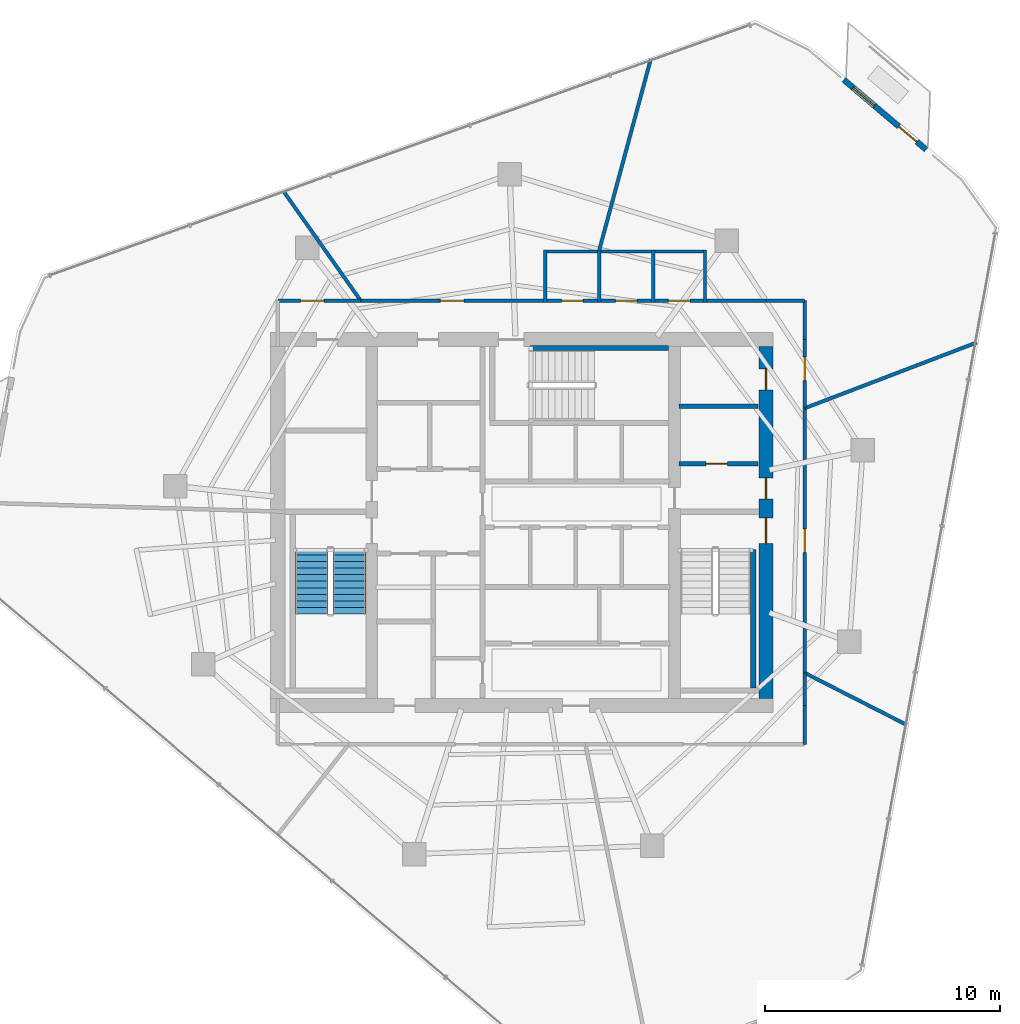
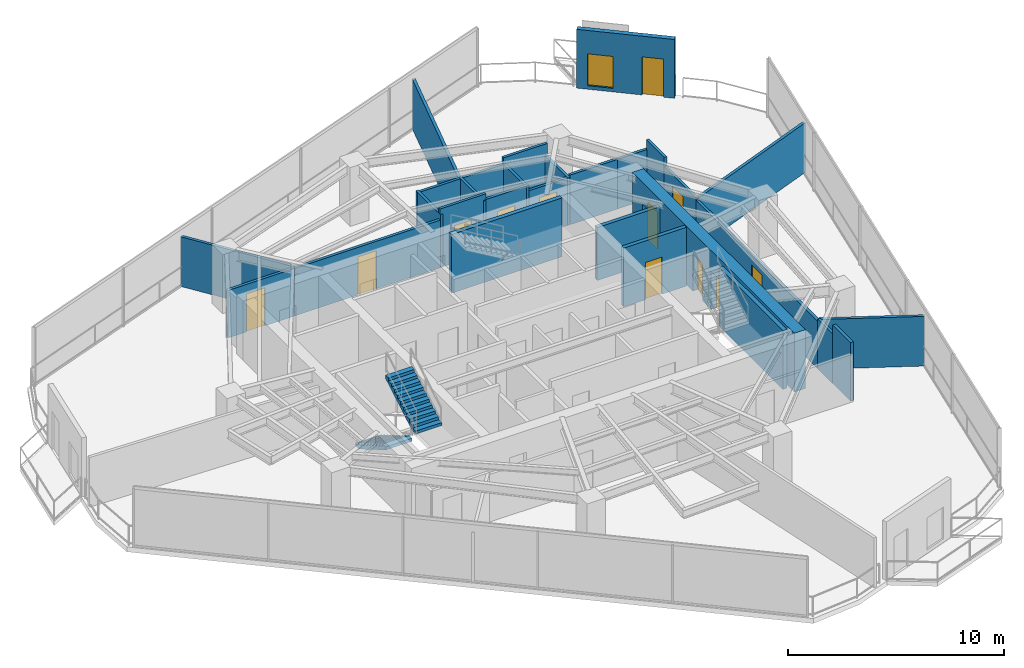
# One storey, part 18 of 21: 29 walls, 12 doors, 2 stair flights, 1 window, 13 openings, 1 element without a shape of its own.
"""IFC4 building model written with IfcOpenShell, lengths in metres."""

from ifc_helpers import new_model, si_unit, direction, frame, frame_2d, origin, place, context, subcontext, project, spatial, polyline, rectangle, outline, extrude, material, layer, layer_set, type_object, element, fill, aggregate, save


model = new_model("IFC4")

# Units and contexts
model_context = context("Model", 3, precision=1e-05, world=origin(), true_north=direction((0.0, 1.0)))
body_context = subcontext(model_context, "Body", "Model", "MODEL_VIEW")
ifc_project = project(units=[si_unit("LENGTHUNIT", "METRE"), si_unit("AREAUNIT", "SQUARE_METRE"), si_unit("VOLUMEUNIT", "CUBIC_METRE"), si_unit("PLANEANGLEUNIT", "RADIAN"), si_unit("MASSUNIT", "GRAM", prefix="KILO")], contexts=[model_context])

# Site, building, storey
site_placement = place(None, origin())
site = spatial("IfcSite", under=ifc_project, at=site_placement, CompositionType="ELEMENT")
building_placement = place(site_placement, origin())
building = spatial("IfcBuilding", under=site, at=building_placement, Name="Qarnah Convention Tower", CompositionType="ELEMENT")
storey_placement = place(building_placement, frame((0.0, 0.0, 140.10009765625)))
storey = spatial("IfcBuildingStorey", under=building, at=storey_placement, Name="L37", CompositionType="ELEMENT", Elevation=140.10009765625)

# Wall, openings, doors
ifc_material_1 = material(Name="Concrete C60/75", Category="concrete")
ifc_layer_1 = layer(ifc_material_1, 0.60009765625)
ifc_layer_set_1 = layer_set([ifc_layer_1], Name="Concrete C60/75")
wall_type_1 = type_object("IfcWallType", Name="WL-CORE-600", PredefinedType="SHEAR", material=ifc_layer_set_1)
wall_1_placement = place(storey_placement, frame((47.60009765625, 18.89990234375, 0.0), z_axis=(0.0, 0.0, 1.0), x_axis=(0.0, 1.0, 0.0)))
wall_1 = element("IfcWall", 1, at=wall_1_placement, inside=storey, type_object=wall_type_1, Name="L37 core east shear wall", PredefinedType="SHEAR", context=body_context, shape_type="SweptSolid", body=[
    extrude(rectangle(XDim=15.0, YDim=0.60009765625, at=frame_2d((7.5, 0.0))), origin(), (0.0, 0.0, 1.0), 3.31982421875),
])
opening_1_placement = place(wall_1_placement, frame((6.60009765625, 0.0, 0.0)))
opening_1 = element("IfcOpeningElement", 2, at=opening_1_placement, cuts=wall_1, Name="Opening D-3702", PredefinedType="OPENING", context=body_context, shape_type="SweptSolid", body=[
    extrude(rectangle(XDim=1.10009765625, YDim=2.14990234375, at=frame_2d((0.550048828125, 1.074951171875))), frame((0.0, 0.31005859375, 0.0), z_axis=(0.0, -1.0, 0.0), x_axis=(1.0, 0.0, 0.0)), (0.0, 0.0, 1.0), 0.6201171875),
])
opening_2_placement = place(wall_1_placement, frame((8.5, 0.0, 0.0)))
opening_2 = element("IfcOpeningElement", 3, at=opening_2_placement, cuts=wall_1, Name="Opening D-3706", PredefinedType="OPENING", context=body_context, shape_type="SweptSolid", body=[
    extrude(rectangle(XDim=0.89990234375, YDim=2.10009765625, at=frame_2d((0.449951171875, 1.050048828125))), frame((0.0, 0.31005859375, 0.0), z_axis=(0.0, -1.0, 0.0), x_axis=(1.0, 0.0, 0.0)), (0.0, 0.0, 1.0), 0.6201171875),
])
opening_3_placement = place(wall_1_placement, frame((13.14990234375, 0.0, 0.0)))
opening_3 = element("IfcOpeningElement", 4, at=opening_3_placement, cuts=wall_1, Name="Opening D-3712", PredefinedType="OPENING", context=body_context, shape_type="SweptSolid", body=[
    extrude(rectangle(XDim=0.89990234375, YDim=2.10009765625, at=frame_2d((0.449951171875, 1.050048828125))), frame((0.0, 0.31005859375, 0.0), z_axis=(0.0, -1.0, 0.0), x_axis=(1.0, 0.0, 0.0)), (0.0, 0.0, 1.0), 0.6201171875),
])
ifc_material_2 = material(Name="Structural steel S355JR", Category="steel")
door_type_1 = type_object("IfcDoorType", Name="DT-RISER-900", OperationType="NOTDEFINED", PredefinedType="DOOR", material=ifc_material_2)
door_1_placement = place(opening_2_placement, origin())
door_1 = element("IfcDoor", 5, at=door_1_placement, inside=storey, type_object=door_type_1, Name="Door D-3706", OperationType="SINGLE_SWING_RIGHT", OverallHeight=2.10009765625, OverallWidth=0.89990234375, PredefinedType="DOOR", context=body_context, shape_type="SweptSolid", body=[
    extrude(rectangle(XDim=0.89990234375, YDim=2.10009765625, at=frame_2d((0.449951171875, 1.050048828125))), frame((0.0, 0.02490234375, 0.0), z_axis=(0.0, -1.0, 0.0), x_axis=(1.0, 0.0, 0.0)), (0.0, 0.0, 1.0), 0.050048828125),
])
fill(opening_2, door_1)
door_2_placement = place(opening_3_placement, origin())
door_2 = element("IfcDoor", 6, at=door_2_placement, inside=storey, type_object=door_type_1, Name="Door D-3712", OperationType="SINGLE_SWING_RIGHT", OverallHeight=2.10009765625, OverallWidth=0.89990234375, PredefinedType="DOOR", context=body_context, shape_type="SweptSolid", body=[
    extrude(rectangle(XDim=0.89990234375, YDim=2.10009765625, at=frame_2d((0.449951171875, 1.050048828125))), frame((0.0, 0.02490234375, 0.0), z_axis=(0.0, -1.0, 0.0), x_axis=(1.0, 0.0, 0.0)), (0.0, 0.0, 1.0), 0.050048828125),
])
fill(opening_3, door_2)
door_type_2 = type_object("IfcDoorType", Name="DT-STAIR-1100", OperationType="NOTDEFINED", PredefinedType="DOOR", material=ifc_material_2)
door_3_placement = place(opening_1_placement, origin())
door_3 = element("IfcDoor", 7, at=door_3_placement, inside=storey, type_object=door_type_2, Name="Door D-3702", OperationType="SINGLE_SWING_RIGHT", OverallHeight=2.14990234375, OverallWidth=1.10009765625, PredefinedType="DOOR", context=body_context, shape_type="SweptSolid", body=[
    extrude(rectangle(XDim=1.10009765625, YDim=2.14990234375, at=frame_2d((0.550048828125, 1.074951171875))), frame((0.0, 0.02490234375, 0.0), z_axis=(0.0, -1.0, 0.0), x_axis=(1.0, 0.0, 0.0)), (0.0, 0.0, 1.0), 0.050048828125),
])
fill(opening_1, door_3)

# Wall, opening, door
ifc_material_3 = material(Name="Concrete C45/55", Category="concrete")
ifc_layer_2 = layer(ifc_material_3, 0.199951171875)
ifc_layer_set_2 = layer_set([ifc_layer_2], Name="Concrete C45/55")
wall_type_2 = type_object("IfcWallType", Name="WL-CORE-PART-200", PredefinedType="SOLIDWALL", material=ifc_layer_set_2)
wall_2_placement = place(storey_placement, frame((43.89990234375, 28.89990234375, 0.0), z_axis=(0.0, 0.0, 1.0), x_axis=(1.0, 0.0, 0.0)))
wall_2 = element("IfcWall", 8, at=wall_2_placement, inside=storey, type_object=wall_type_2, Name="L37 interior wall IW-L37-EVSTN", PredefinedType="SOLIDWALL", context=body_context, shape_type="SweptSolid", body=[
    extrude(rectangle(XDim=3.35009765625, YDim=0.199951171875, at=frame_2d((1.675048828125, 0.0))), origin(), (0.0, 0.0, 1.0), 3.31982421875),
])
opening_4_placement = place(wall_2_placement, frame((1.14990234375, 0.0, 0.0)))
opening_4 = element("IfcOpeningElement", 9, at=opening_4_placement, cuts=wall_2, Name="Opening D-3711", PredefinedType="OPENING", context=body_context, shape_type="SweptSolid", body=[
    extrude(rectangle(XDim=0.89990234375, YDim=2.10009765625, at=frame_2d((0.449951171875, 1.050048828125))), frame((0.0, 0.10986328125, 0.0), z_axis=(0.0, -1.0, 0.0), x_axis=(1.0, 0.0, 0.0)), (0.0, 0.0, 1.0), 0.219970703125),
])
door_4_placement = place(opening_4_placement, origin())
door_4 = element("IfcDoor", 10, at=door_4_placement, inside=storey, type_object=door_type_1, Name="Door D-3711", OperationType="SINGLE_SWING_LEFT", OverallHeight=2.10009765625, OverallWidth=0.89990234375, PredefinedType="DOOR", context=body_context, shape_type="SweptSolid", body=[
    extrude(rectangle(XDim=0.89990234375, YDim=2.10009765625, at=frame_2d((0.449951171875, 1.050048828125))), frame((0.0, 0.02490234375, 0.0), z_axis=(0.0, -1.0, 0.0), x_axis=(1.0, 0.0, 0.0)), (0.0, 0.0, 1.0), 0.050048828125),
])
fill(opening_4, door_4)

# Walls
wall_3_placement = place(storey_placement, frame((43.89990234375, 31.35009765625, 0.0), z_axis=(0.0, 0.0, 1.0), x_axis=(1.0, 0.0, 0.0)))
element("IfcWall", 11, at=wall_3_placement, inside=storey, type_object=wall_type_2, Name="L37 interior wall IW-L37-WTRN", PredefinedType="SOLIDWALL", context=body_context, shape_type="SweptSolid", body=[
    extrude(rectangle(XDim=3.35009765625, YDim=0.199951171875, at=frame_2d((1.675048828125, 0.0))), origin(), (0.0, 0.0, 1.0), 2.992919921875),
])
ifc_layer_3 = layer(ifc_material_1, 0.219970703125)
ifc_layer_set_3 = layer_set([ifc_layer_3], Name="Concrete C60/75")
wall_type_3 = type_object("IfcWallType", Name="WL-CORE-STAIR-220", PredefinedType="SHEAR", material=ifc_layer_set_3)
for number, where, z_axis, x_axis, name in (
    (12, (47.06005859375, 19.35009765625, 0.0), (0.0, 0.0, 1.0), (0.0, 1.0, 0.0), "L37 stair shaft shear wall SW-L37-ST2E"),
    (13, (37.550048828125, 33.840087890625, 0.0), (0.0, 0.0, 1.0), (1.0, 0.0, 0.0), "L37 stair shaft shear wall SW-L37-ST3N"),
):
    element("IfcWall", number, at=place(storey_placement, frame(where, z_axis=z_axis, x_axis=x_axis)), inside=storey, type_object=wall_type_3, Name=name, PredefinedType="SHEAR", context=body_context, shape_type="SweptSolid", body=[
        extrude(rectangle(XDim=5.89990234375, YDim=0.219970703125, at=frame_2d((2.949951171875, 0.0))), origin(), (0.0, 0.0, 1.0), 3.31982421875),
    ])

# Wall, openings, door, window
ifc_material_4 = material(Name="Precast concrete C45/55", Category="concrete")
ifc_layer_4 = layer(ifc_material_4, 0.239990234375)
ifc_layer_set_4 = layer_set([ifc_layer_4], Name="Precast concrete C45/55")
wall_type_4 = type_object("IfcWallType", Name="WL-EXT-BAL-240", PredefinedType="SOLIDWALL", material=ifc_layer_set_4)
wall_4_placement = place(storey_placement, frame((50.912109375, 45.261962890625, 0.0), z_axis=(0.0, 0.0, 1.0), x_axis=(0.762342495017, -0.647173794503, 0.0)))
wall_4 = element("IfcWall", 14, at=wall_4_placement, inside=storey, type_object=wall_type_4, Name="L37 loggia threshold wall BAL-L37-C1", PredefinedType="SOLIDWALL", context=body_context, shape_type="SweptSolid", body=[
    extrude(rectangle(XDim=4.60009765625, YDim=0.239990234375, at=frame_2d((2.300048828125, 0.0))), origin(), (0.0, 0.0, 1.0), 3.31982421875),
])
opening_5_placement = place(wall_4_placement, frame((3.080078125, 0.0, 0.0)))
opening_5 = element("IfcOpeningElement", 15, at=opening_5_placement, cuts=wall_4, Name="Opening BD-3701", PredefinedType="OPENING", context=body_context, shape_type="SweptSolid", body=[
    extrude(rectangle(XDim=1.0, YDim=2.14990234375, at=frame_2d((0.5, 1.074951171875))), frame((0.0, 0.1298828125, 0.0), z_axis=(0.0, -1.0, 0.0), x_axis=(1.0, 0.0, 0.0)), (0.0, 0.0, 1.0), 0.260009765625),
])
opening_6_placement = place(wall_4_placement, frame((0.52001953125, 0.0, 0.199951171875)))
opening_6 = element("IfcOpeningElement", 16, at=opening_6_placement, cuts=wall_4, Name="Opening WN5", PredefinedType="OPENING", context=body_context, shape_type="SweptSolid", body=[
    extrude(rectangle(XDim=1.199951171875, YDim=1.800048828125, at=frame_2d((0.60009765625, 0.89990234375))), frame((0.0, 0.1298828125, 0.0), z_axis=(0.0, -1.0, 0.0), x_axis=(1.0, 0.0, 0.0)), (0.0, 0.0, 1.0), 0.260009765625),
])
ifc_material_5 = material(Name="Black anodised aluminium", Category="aluminium")
door_type_3 = type_object("IfcDoorType", Name="DT-BAL-1000", OperationType="NOTDEFINED", PredefinedType="DOOR", material=ifc_material_5)
door_5_placement = place(opening_5_placement, origin())
door_5 = element("IfcDoor", 17, at=door_5_placement, inside=storey, type_object=door_type_3, Name="L37 balcony terrace door BAL-L37-C1", OperationType="SINGLE_SWING_RIGHT", OverallHeight=2.14990234375, OverallWidth=1.0, PredefinedType="DOOR", context=body_context, shape_type="SweptSolid", body=[
    extrude(rectangle(XDim=1.0, YDim=2.14990234375, at=frame_2d((0.5, 1.074951171875))), frame((0.0, 0.02490234375, 0.0), z_axis=(0.0, -1.0, 0.0), x_axis=(1.0, 0.0, 0.0)), (0.0, 0.0, 1.0), 0.050048828125),
])
fill(opening_5, door_5)
ifc_material_6 = material(Name="Tempered Low-E dark glass", Category="glass")
window_type = type_object("IfcWindowType", Name="WT-BAL-1200X1800", PartitioningType="SINGLE_PANEL", PredefinedType="WINDOW", material=ifc_material_6)
window_placement = place(opening_6_placement, origin())
window = element("IfcWindow", 18, at=window_placement, inside=storey, type_object=window_type, Name="Window BW-BAL-L37-C1", OverallHeight=1.800048828125, OverallWidth=1.199951171875, PartitioningType="SINGLE_PANEL", PredefinedType="WINDOW", context=body_context, shape_type="SweptSolid", body=[
    extrude(rectangle(XDim=1.199951171875, YDim=1.800048828125, at=frame_2d((0.60009765625, 0.89990234375))), frame((0.0, 0.030029296875, 0.0), z_axis=(0.0, -1.0, 0.0), x_axis=(1.0, 0.0, 0.0)), (0.0, 0.0, 1.0), 0.06005859375),
])
fill(opening_6, window)

# Walls
ifc_material_7 = material(Name="Gypsum partition board")
ifc_layer_5 = layer(ifc_material_7, 0.14990234375)
ifc_layer_set_5 = layer_set([ifc_layer_5], Name="Gypsum partition board")
wall_type_5 = type_object("IfcWallType", Name="WL-SUITE-150", PredefinedType="PARTITIONING", material=ifc_layer_set_5)
wall_5_placement = place(storey_placement, frame((42.69189453125, 46.14404296875, 0.0), z_axis=(0.0, 0.0, 1.0), x_axis=(-0.260489528982, -0.965476672577, 0.0)))
element("IfcWall", 19, at=wall_5_placement, inside=storey, type_object=wall_type_5, Name="L37 interior wall IW-L37-R-11", PredefinedType="PARTITIONING", context=body_context, shape_type="SweptSolid", body=[
    extrude(rectangle(XDim=8.41455078125, YDim=0.14990234375, at=frame_2d((4.207275390625, 0.0))), origin(), (0.0, 0.0, 1.0), 2.804931640625),
])
wall_6_placement = place(storey_placement, frame((45.070068359375, 35.85009765625, 0.0), z_axis=(0.0, 0.0, 1.0), x_axis=(1.0, 0.0, 0.0)))
element("IfcWall", 20, at=wall_6_placement, inside=storey, type_object=wall_type_5, Name="L37 interior wall IW-L37-R-12", PredefinedType="PARTITIONING", context=body_context, shape_type="SweptSolid", body=[
    extrude(rectangle(XDim=2.530029296875, YDim=0.14990234375, at=frame_2d((1.26513671875, 0.0))), origin(), (0.0, 0.0, 1.0), 2.804931640625),
])
wall_7_placement = place(storey_placement, frame((47.60009765625, 35.85009765625, 0.0), z_axis=(0.0, 0.0, 1.0), x_axis=(1.0, 0.0, 0.0)))
element("IfcWall", 21, at=wall_7_placement, inside=storey, type_object=wall_type_5, Name="L37 interior wall IW-L37-R-13", PredefinedType="PARTITIONING", context=body_context, shape_type="SweptSolid", body=[
    extrude(rectangle(XDim=1.64990234375, YDim=0.14990234375, at=frame_2d((0.824951171875, 0.0))), origin(), (0.0, 0.0, 1.0), 2.804931640625),
])
wall_8_placement = place(storey_placement, frame((49.25, 35.85009765625, 0.0), z_axis=(0.0, 0.0, 1.0), x_axis=(0.0, -1.0, 0.0)))
element("IfcWall", 22, at=wall_8_placement, inside=storey, type_object=wall_type_5, Name="L37 interior wall IW-L37-R-14", PredefinedType="PARTITIONING", context=body_context, shape_type="SweptSolid", body=[
    extrude(rectangle(XDim=1.650146484375, YDim=0.14990234375, at=frame_2d((0.8251953125, 0.0))), origin(), (0.0, 0.0, 1.0), 3.31982421875),
])

# Wall, opening, door
wall_9_placement = place(storey_placement, frame((49.25, 34.199951171875, 0.0), z_axis=(0.0, 0.0, 1.0), x_axis=(0.0, -1.0, 0.0)))
wall_9 = element("IfcWall", 23, at=wall_9_placement, inside=storey, type_object=wall_type_5, Name="L37 interior wall IW-L37-R-15", PredefinedType="PARTITIONING", context=body_context, shape_type="SweptSolid", body=[
    extrude(rectangle(XDim=2.930908203125, YDim=0.14990234375, at=frame_2d((1.46533203125, 0.0))), origin(), (0.0, 0.0, 1.0), 2.804931640625),
])
opening_7_placement = place(wall_9_placement, frame((0.758056640625, 0.0, 0.0)))
opening_7 = element("IfcOpeningElement", 24, at=opening_7_placement, cuts=wall_9, Name="Opening D-3721", PredefinedType="OPENING", context=body_context, shape_type="SweptSolid", body=[
    extrude(rectangle(XDim=1.0, YDim=2.14990234375, at=frame_2d((0.5, 1.074951171875))), frame((0.0, 0.0849609375, 0.0), z_axis=(0.0, -1.0, 0.0), x_axis=(1.0, 0.0, 0.0)), (0.0, 0.0, 1.0), 0.169921875),
])
ifc_material_8 = material(Name="Oak timber veneer", Category="wood")
door_type_4 = type_object("IfcDoorType", Name="DT-OFFICE-1000", OperationType="NOTDEFINED", PredefinedType="DOOR", material=ifc_material_8)
door_6_placement = place(opening_7_placement, origin())
door_6 = element("IfcDoor", 25, at=door_6_placement, inside=storey, type_object=door_type_4, Name="Door D-3721", OperationType="SINGLE_SWING_LEFT", OverallHeight=2.14990234375, OverallWidth=1.0, PredefinedType="DOOR", context=body_context, shape_type="SweptSolid", body=[
    extrude(rectangle(XDim=1.0, YDim=2.14990234375, at=frame_2d((0.5, 1.074951171875))), frame((0.0, 0.02490234375, 0.0), z_axis=(0.0, -1.0, 0.0), x_axis=(1.0, 0.0, 0.0)), (0.0, 0.0, 1.0), 0.050048828125),
])
fill(opening_7, door_6)

# Walls
wall_10_placement = place(storey_placement, frame((49.25, 31.26904296875, 0.0), z_axis=(0.0, 0.0, 1.0), x_axis=(0.934153494296, 0.356871474196, 0.0)))
element("IfcWall", 26, at=wall_10_placement, inside=storey, type_object=wall_type_5, Name="L37 interior wall IW-L37-R-16", PredefinedType="PARTITIONING", context=body_context, shape_type="SweptSolid", body=[
    extrude(rectangle(XDim=7.84326171875, YDim=0.14990234375, at=frame_2d((3.921630859375, 0.0))), origin(), (0.0, 0.0, 1.0), 2.804931640625),
])
wall_11_placement = place(storey_placement, frame((27.031005859375, 40.530029296875, 0.0), z_axis=(0.0, 0.0, 1.0), x_axis=(0.576624628634, -0.817009202918, 0.0)))
element("IfcWall", 27, at=wall_11_placement, inside=storey, type_object=wall_type_5, Name="L37 interior wall IW-L37-R-17", PredefinedType="PARTITIONING", context=body_context, shape_type="SweptSolid", body=[
    extrude(rectangle(XDim=5.72802734375, YDim=0.14990234375, at=frame_2d((2.864013671875, 0.0))), origin(), (0.0, 0.0, 1.0), 2.804931640625),
])

# Wall, opening, door
wall_12_placement = place(storey_placement, frame((30.333984375, 35.85009765625, 0.0), z_axis=(0.0, 0.0, 1.0), x_axis=(1.0, 0.0, 0.0)))
wall_12 = element("IfcWall", 28, at=wall_12_placement, inside=storey, type_object=wall_type_5, Name="L37 interior wall IW-L37-R-18", PredefinedType="PARTITIONING", context=body_context, shape_type="SweptSolid", body=[
    extrude(rectangle(XDim=7.7958984375, YDim=0.14990234375, at=frame_2d((3.89794921875, 0.0))), origin(), (0.0, 0.0, 1.0), 2.68701171875),
])
opening_8_placement = place(wall_12_placement, frame((3.39794921875, 0.0, 0.0)))
opening_8 = element("IfcOpeningElement", 29, at=opening_8_placement, cuts=wall_12, Name="Opening D-3722", PredefinedType="OPENING", context=body_context, shape_type="SweptSolid", body=[
    extrude(rectangle(XDim=1.0, YDim=2.14990234375, at=frame_2d((0.5, 1.074951171875))), frame((0.0, 0.0849609375, 0.0), z_axis=(0.0, -1.0, 0.0), x_axis=(1.0, 0.0, 0.0)), (0.0, 0.0, 1.0), 0.169921875),
])
door_7_placement = place(opening_8_placement, origin())
door_7 = element("IfcDoor", 30, at=door_7_placement, inside=storey, type_object=door_type_4, Name="Door D-3722", OperationType="SINGLE_SWING_RIGHT", OverallHeight=2.14990234375, OverallWidth=1.0, PredefinedType="DOOR", context=body_context, shape_type="SweptSolid", body=[
    extrude(rectangle(XDim=1.0, YDim=2.14990234375, at=frame_2d((0.5, 1.074951171875))), frame((0.0, 0.02490234375, 0.0), z_axis=(0.0, -1.0, 0.0), x_axis=(1.0, 0.0, 0.0)), (0.0, 0.0, 1.0), 0.050048828125),
])
fill(opening_8, door_7)

wall_13_placement = place(storey_placement, frame((26.800048828125, 35.85009765625, 0.0), z_axis=(0.0, 0.0, 1.0), x_axis=(1.0, 0.0, 0.0)))
wall_13 = element("IfcWall", 31, at=wall_13_placement, inside=storey, type_object=wall_type_5, Name="L37 interior wall IW-L37-R-21", PredefinedType="PARTITIONING", context=body_context, shape_type="SweptSolid", body=[
    extrude(rectangle(XDim=3.533935546875, YDim=0.14990234375, at=frame_2d((1.76708984375, 0.0))), origin(), (0.0, 0.0, 1.0), 2.68701171875),
])
opening_9_placement = place(wall_13_placement, frame((0.97412109375, 0.0, 0.0)))
opening_9 = element("IfcOpeningElement", 32, at=opening_9_placement, cuts=wall_13, Name="Opening D-3723", PredefinedType="OPENING", context=body_context, shape_type="SweptSolid", body=[
    extrude(rectangle(XDim=1.0, YDim=2.14990234375, at=frame_2d((0.5, 1.074951171875))), frame((0.0, 0.0849609375, 0.0), z_axis=(0.0, -1.0, 0.0), x_axis=(1.0, 0.0, 0.0)), (0.0, 0.0, 1.0), 0.169921875),
])
door_8_placement = place(opening_9_placement, origin())
door_8 = element("IfcDoor", 33, at=door_8_placement, inside=storey, type_object=door_type_4, Name="Door D-3723", OperationType="SINGLE_SWING_LEFT", OverallHeight=2.14990234375, OverallWidth=1.0, PredefinedType="DOOR", context=body_context, shape_type="SweptSolid", body=[
    extrude(rectangle(XDim=1.0, YDim=2.14990234375, at=frame_2d((0.5, 1.074951171875))), frame((0.0, 0.02490234375, 0.0), z_axis=(0.0, -1.0, 0.0), x_axis=(1.0, 0.0, 0.0)), (0.0, 0.0, 1.0), 0.050048828125),
])
fill(opening_9, door_8)

# Walls
wall_14_placement = place(storey_placement, frame((53.60205078125, 17.77490234375, 0.0), z_axis=(0.0, 0.0, 1.0), x_axis=(-0.890962054249, 0.454077766344, 0.0)))
element("IfcWall", 34, at=wall_14_placement, inside=storey, type_object=wall_type_5, Name="L37 interior wall IW-L37-R-27", PredefinedType="PARTITIONING", context=body_context, shape_type="SweptSolid", body=[
    extrude(rectangle(XDim=4.884765625, YDim=0.14990234375, at=frame_2d((2.4423828125, 0.0))), origin(), (0.0, 0.0, 1.0), 2.804931640625),
])
wall_15_placement = place(storey_placement, frame((49.25, 19.992919921875, 0.0), z_axis=(0.0, 0.0, 1.0), x_axis=(0.0, -1.0, 0.0)))
element("IfcWall", 35, at=wall_15_placement, inside=storey, type_object=wall_type_5, Name="L37 interior wall IW-L37-R-28", PredefinedType="PARTITIONING", context=body_context, shape_type="SweptSolid", body=[
    extrude(rectangle(XDim=1.392822265625, YDim=0.14990234375, at=frame_2d((0.6962890625, 0.0))), origin(), (0.0, 0.0, 1.0), 2.804931640625),
])
wall_16_placement = place(storey_placement, frame((49.25, 18.60009765625, 0.0), z_axis=(0.0, 0.0, 1.0), x_axis=(0.0, -1.0, 0.0)))
element("IfcWall", 36, at=wall_16_placement, inside=storey, type_object=wall_type_5, Name="L37 interior wall IW-L37-R-29", PredefinedType="PARTITIONING", context=body_context, shape_type="SweptSolid", body=[
    extrude(rectangle(XDim=1.650146484375, YDim=0.14990234375, at=frame_2d((0.8251953125, 0.0))), origin(), (0.0, 0.0, 1.0), 3.31982421875),
])

# Wall, opening, door
wall_17_placement = place(storey_placement, frame((49.25, 31.26904296875, 0.0), z_axis=(0.0, 0.0, 1.0), x_axis=(0.0, -1.0, 0.0)))
wall_17 = element("IfcWall", 37, at=wall_17_placement, inside=storey, type_object=wall_type_5, Name="L37 interior wall IW-L37-R-31", PredefinedType="PARTITIONING", context=body_context, shape_type="SweptSolid", body=[
    extrude(rectangle(XDim=11.276123046875, YDim=0.14990234375, at=frame_2d((5.63818359375, 0.0))), origin(), (0.0, 0.0, 1.0), 2.68701171875),
])
opening_10_placement = place(wall_17_placement, frame((5.137939453125, 0.0, 0.0)))
opening_10 = element("IfcOpeningElement", 38, at=opening_10_placement, cuts=wall_17, Name="Opening D-3727", PredefinedType="OPENING", context=body_context, shape_type="SweptSolid", body=[
    extrude(rectangle(XDim=1.0, YDim=2.14990234375, at=frame_2d((0.5, 1.074951171875))), frame((0.0, 0.0849609375, 0.0), z_axis=(0.0, -1.0, 0.0), x_axis=(1.0, 0.0, 0.0)), (0.0, 0.0, 1.0), 0.169921875),
])
door_9_placement = place(opening_10_placement, origin())
door_9 = element("IfcDoor", 39, at=door_9_placement, inside=storey, type_object=door_type_4, Name="Door D-3727", OperationType="SINGLE_SWING_LEFT", OverallHeight=2.14990234375, OverallWidth=1.0, PredefinedType="DOOR", context=body_context, shape_type="SweptSolid", body=[
    extrude(rectangle(XDim=1.0, YDim=2.14990234375, at=frame_2d((0.5, 1.074951171875))), frame((0.0, 0.02490234375, 0.0), z_axis=(0.0, -1.0, 0.0), x_axis=(1.0, 0.0, 0.0)), (0.0, 0.0, 1.0), 0.050048828125),
])
fill(opening_10, door_9)

ifc_layer_6 = layer(ifc_material_7, 0.139892578125)
ifc_layer_set_6 = layer_set([ifc_layer_6], Name="Gypsum partition board")
wall_type_6 = type_object("IfcWallType", Name="WL-WET-140", PredefinedType="PARTITIONING", material=ifc_layer_set_6)
wall_18_placement = place(storey_placement, frame((38.1298828125, 35.85009765625, 0.0), z_axis=(0.0, 0.0, 1.0), x_axis=(1.0, 0.0, 0.0)))
wall_18 = element("IfcWall", 40, at=wall_18_placement, inside=storey, type_object=wall_type_6, Name="L37 interior wall IW-L37-WCM-1", PredefinedType="PARTITIONING", context=body_context, shape_type="SweptSolid", body=[
    extrude(rectangle(XDim=2.440185546875, YDim=0.139892578125, at=frame_2d((1.22021484375, 0.0))), origin(), (0.0, 0.0, 1.0), 3.31982421875),
])
opening_11_placement = place(wall_18_placement, frame((0.760009765625, 0.0, 0.0)))
opening_11 = element("IfcOpeningElement", 41, at=opening_11_placement, cuts=wall_18, Name="Opening D-3718", PredefinedType="OPENING", context=body_context, shape_type="SweptSolid", body=[
    extrude(rectangle(XDim=0.919921875, YDim=2.10009765625, at=frame_2d((0.4599609375, 1.050048828125))), frame((0.0, 0.079833984375, 0.0), z_axis=(0.0, -1.0, 0.0), x_axis=(1.0, 0.0, 0.0)), (0.0, 0.0, 1.0), 0.159912109375),
])
door_type_5 = type_object("IfcDoorType", Name="DT-WC-920", OperationType="NOTDEFINED", PredefinedType="DOOR", material=ifc_material_8)
door_10_placement = place(opening_11_placement, origin())
door_10 = element("IfcDoor", 42, at=door_10_placement, inside=storey, type_object=door_type_5, Name="Door D-3718", OperationType="SINGLE_SWING_RIGHT", OverallHeight=2.10009765625, OverallWidth=0.919921875, PredefinedType="DOOR", context=body_context, shape_type="SweptSolid", body=[
    extrude(rectangle(XDim=0.919921875, YDim=2.10009765625, at=frame_2d((0.4599609375, 1.050048828125))), frame((0.0, 0.02490234375, 0.0), z_axis=(0.0, -1.0, 0.0), x_axis=(1.0, 0.0, 0.0)), (0.0, 0.0, 1.0), 0.050048828125),
])
fill(opening_11, door_10)

# Walls
wall_19_placement = place(storey_placement, frame((40.5, 35.780029296875, 0.0), z_axis=(0.0, 0.0, 1.0), x_axis=(0.0, 1.0, 0.0)))
element("IfcWall", 43, at=wall_19_placement, inside=storey, type_object=wall_type_6, Name="L37 interior wall IW-L37-WCM-2", PredefinedType="PARTITIONING", context=body_context, shape_type="SweptSolid", body=[
    extrude(rectangle(XDim=2.239990234375, YDim=0.139892578125, at=frame_2d((1.1201171875, 0.0))), origin(), (0.0, 0.0, 1.0), 2.948974609375),
])
wall_20_placement = place(storey_placement, frame((40.570068359375, 37.949951171875, 0.0), z_axis=(0.0, 0.0, 1.0), x_axis=(-1.0, 0.0, 0.0)))
element("IfcWall", 44, at=wall_20_placement, inside=storey, type_object=wall_type_6, Name="L37 interior wall IW-L37-WCM-3", PredefinedType="PARTITIONING", context=body_context, shape_type="SweptSolid", body=[
    extrude(rectangle(XDim=2.440185546875, YDim=0.139892578125, at=frame_2d((1.22021484375, 0.0))), origin(), (0.0, 0.0, 1.0), 2.948974609375),
])
wall_21_placement = place(storey_placement, frame((38.199951171875, 38.02001953125, 0.0), z_axis=(0.0, 0.0, 1.0), x_axis=(0.0, -1.0, 0.0)))
element("IfcWall", 45, at=wall_21_placement, inside=storey, type_object=wall_type_6, Name="L37 interior wall IW-L37-WCM-4", PredefinedType="PARTITIONING", context=body_context, shape_type="SweptSolid", body=[
    extrude(rectangle(XDim=2.239990234375, YDim=0.139892578125, at=frame_2d((1.1201171875, 0.0))), origin(), (0.0, 0.0, 1.0), 2.992919921875),
])

# Wall, opening, door
wall_22_placement = place(storey_placement, frame((40.429931640625, 35.85009765625, 0.0), z_axis=(0.0, 0.0, 1.0), x_axis=(1.0, 0.0, 0.0)))
wall_22 = element("IfcWall", 46, at=wall_22_placement, inside=storey, type_object=wall_type_6, Name="L37 interior wall IW-L37-WCF-1", PredefinedType="PARTITIONING", context=body_context, shape_type="SweptSolid", body=[
    extrude(rectangle(XDim=2.440185546875, YDim=0.139892578125, at=frame_2d((1.22021484375, 0.0))), origin(), (0.0, 0.0, 1.0), 2.992919921875),
])
opening_12_placement = place(wall_22_placement, frame((0.760009765625, 0.0, 0.0)))
opening_12 = element("IfcOpeningElement", 47, at=opening_12_placement, cuts=wall_22, Name="Opening D-3719", PredefinedType="OPENING", context=body_context, shape_type="SweptSolid", body=[
    extrude(rectangle(XDim=0.919921875, YDim=2.10009765625, at=frame_2d((0.4599609375, 1.050048828125))), frame((0.0, 0.079833984375, 0.0), z_axis=(0.0, -1.0, 0.0), x_axis=(1.0, 0.0, 0.0)), (0.0, 0.0, 1.0), 0.159912109375),
])
door_11_placement = place(opening_12_placement, origin())
door_11 = element("IfcDoor", 48, at=door_11_placement, inside=storey, type_object=door_type_5, Name="Door D-3719", OperationType="SINGLE_SWING_LEFT", OverallHeight=2.10009765625, OverallWidth=0.919921875, PredefinedType="DOOR", context=body_context, shape_type="SweptSolid", body=[
    extrude(rectangle(XDim=0.919921875, YDim=2.10009765625, at=frame_2d((0.4599609375, 1.050048828125))), frame((0.0, 0.02490234375, 0.0), z_axis=(0.0, -1.0, 0.0), x_axis=(1.0, 0.0, 0.0)), (0.0, 0.0, 1.0), 0.050048828125),
])
fill(opening_12, door_11)

# Walls
wall_23_placement = place(storey_placement, frame((42.800048828125, 35.780029296875, 0.0), z_axis=(0.0, 0.0, 1.0), x_axis=(0.0, 1.0, 0.0)))
element("IfcWall", 49, at=wall_23_placement, inside=storey, type_object=wall_type_6, Name="L37 interior wall IW-L37-WCF-2", PredefinedType="PARTITIONING", context=body_context, shape_type="SweptSolid", body=[
    extrude(rectangle(XDim=2.239990234375, YDim=0.139892578125, at=frame_2d((1.1201171875, 0.0))), origin(), (0.0, 0.0, 1.0), 2.948974609375),
])
wall_24_placement = place(storey_placement, frame((42.8701171875, 37.949951171875, 0.0), z_axis=(0.0, 0.0, 1.0), x_axis=(-1.0, 0.0, 0.0)))
element("IfcWall", 50, at=wall_24_placement, inside=storey, type_object=wall_type_6, Name="L37 interior wall IW-L37-WCF-3", PredefinedType="PARTITIONING", context=body_context, shape_type="SweptSolid", body=[
    extrude(rectangle(XDim=2.440185546875, YDim=0.139892578125, at=frame_2d((1.22021484375, 0.0))), origin(), (0.0, 0.0, 1.0), 2.948974609375),
])

# Wall, opening, door
wall_25_placement = place(storey_placement, frame((42.72998046875, 35.85009765625, 0.0), z_axis=(0.0, 0.0, 1.0), x_axis=(1.0, 0.0, 0.0)))
wall_25 = element("IfcWall", 51, at=wall_25_placement, inside=storey, type_object=wall_type_6, Name="L37 interior wall IW-L37-WCA-1", PredefinedType="PARTITIONING", context=body_context, shape_type="SweptSolid", body=[
    extrude(rectangle(XDim=2.340087890625, YDim=0.139892578125, at=frame_2d((1.169921875, 0.0))), origin(), (0.0, 0.0, 1.0), 2.68701171875),
])
opening_13_placement = place(wall_25_placement, frame((0.7099609375, 0.0, 0.0)))
opening_13 = element("IfcOpeningElement", 52, at=opening_13_placement, cuts=wall_25, Name="Opening D-3720", PredefinedType="OPENING", context=body_context, shape_type="SweptSolid", body=[
    extrude(rectangle(XDim=0.919921875, YDim=2.10009765625, at=frame_2d((0.4599609375, 1.050048828125))), frame((0.0, 0.079833984375, 0.0), z_axis=(0.0, -1.0, 0.0), x_axis=(1.0, 0.0, 0.0)), (0.0, 0.0, 1.0), 0.159912109375),
])
door_12_placement = place(opening_13_placement, origin())
door_12 = element("IfcDoor", 53, at=door_12_placement, inside=storey, type_object=door_type_5, Name="Door D-3720", OperationType="SINGLE_SWING_RIGHT", OverallHeight=2.10009765625, OverallWidth=0.919921875, PredefinedType="DOOR", context=body_context, shape_type="SweptSolid", body=[
    extrude(rectangle(XDim=0.919921875, YDim=2.10009765625, at=frame_2d((0.4599609375, 1.050048828125))), frame((0.0, 0.02490234375, 0.0), z_axis=(0.0, -1.0, 0.0), x_axis=(1.0, 0.0, 0.0)), (0.0, 0.0, 1.0), 0.050048828125),
])
fill(opening_13, door_12)

# Walls
wall_26_placement = place(storey_placement, frame((45.0, 35.780029296875, 0.0), z_axis=(0.0, 0.0, 1.0), x_axis=(0.0, 1.0, 0.0)))
element("IfcWall", 54, at=wall_26_placement, inside=storey, type_object=wall_type_6, Name="L37 interior wall IW-L37-WCA-2", PredefinedType="PARTITIONING", context=body_context, shape_type="SweptSolid", body=[
    extrude(rectangle(XDim=2.239990234375, YDim=0.139892578125, at=frame_2d((1.1201171875, 0.0))), origin(), (0.0, 0.0, 1.0), 2.68701171875),
])
wall_27_placement = place(storey_placement, frame((45.070068359375, 37.949951171875, 0.0), z_axis=(0.0, 0.0, 1.0), x_axis=(-1.0, 0.0, 0.0)))
element("IfcWall", 55, at=wall_27_placement, inside=storey, type_object=wall_type_6, Name="L37 interior wall IW-L37-WCA-3", PredefinedType="PARTITIONING", context=body_context, shape_type="SweptSolid", body=[
    extrude(rectangle(XDim=2.340087890625, YDim=0.139892578125, at=frame_2d((1.169921875, 0.0))), origin(), (0.0, 0.0, 1.0), 3.31982421875),
])

# Stair, stair flights
ifc_material_9 = material(Name="Concrete C50/60", Category="concrete")
stair_type = type_object("IfcStairType", Name="STR-OFF", PredefinedType="HALF_TURN_STAIR", material=ifc_material_9)
stair_placement = place(storey_placement, origin())
stair = element("IfcStair", 56, at=stair_placement, inside=storey, type_object=stair_type, Name="L37 Core exit stair ST-1", PredefinedType="HALF_TURN_STAIR")
stair_flight_type = type_object("IfcStairFlightType", Name="FLT-OFF", PredefinedType="STRAIGHT", material=ifc_material_9)
stair_flight_1_placement = place(storey_placement, frame((28.25, 25.300048828125, 0.0), z_axis=(0.0, 0.0, 1.0), x_axis=(0.0, -1.0, 0.0)))
stair_flight_1 = element("IfcStairFlight", 57, at=stair_flight_1_placement, type_object=stair_flight_type, Name="ST-1 flight 1", NumberOfRisers=11, NumberOfTreads=10, PredefinedType="STRAIGHT", RiserHeight=0.163636364, TreadLength=0.28, context=body_context, shape_type="SweptSolid", body=[
    extrude(outline(polyline([(0.0, 0.0), (0.0, 0.16357421875), (0.280029296875, 0.16357421875), (0.280029296875, 0.327392578125), (0.56005859375, 0.327392578125), (0.56005859375, 0.490966796875), (0.840087890625, 0.490966796875), (0.840087890625, 0.654541015625), (1.1201171875, 0.654541015625), (1.1201171875, 0.818115234375), (1.39990234375, 0.818115234375), (1.39990234375, 0.98193359375), (1.679931640625, 0.98193359375), (1.679931640625, 1.1455078125), (1.9599609375, 1.1455078125), (1.9599609375, 1.30908203125), (2.239990234375, 1.30908203125), (2.239990234375, 1.47265625), (2.52001953125, 1.47265625), (2.52001953125, 1.636474609375), (2.800048828125, 1.636474609375), (2.800048828125, 1.800048828125), (2.800048828125, 1.462646484375), (0.297119140625, 0.0), (0.0, 0.0)])), frame((0.0, 0.699951171875, 0.0), z_axis=(0.0, -1.0, 0.0), x_axis=(1.0, 0.0, 0.0)), (0.0, 0.0, 1.0), 1.39990234375),
])
stair_flight_2_placement = place(storey_placement, frame((29.85009765625, 22.5, 1.7998046875), z_axis=(0.0, 0.0, 1.0), x_axis=(0.0, 1.0, 0.0)))
stair_flight_2 = element("IfcStairFlight", 58, at=stair_flight_2_placement, type_object=stair_flight_type, Name="ST-1 flight 2", NumberOfRisers=11, NumberOfTreads=10, PredefinedType="STRAIGHT", RiserHeight=0.163636364, TreadLength=0.28, context=body_context, shape_type="SweptSolid", body=[
    extrude(outline(polyline([(0.0, 0.0), (0.0, 0.16357421875), (0.280029296875, 0.16357421875), (0.280029296875, 0.327392578125), (0.56005859375, 0.327392578125), (0.56005859375, 0.490966796875), (0.840087890625, 0.490966796875), (0.840087890625, 0.654541015625), (1.1201171875, 0.654541015625), (1.1201171875, 0.818115234375), (1.39990234375, 0.818115234375), (1.39990234375, 0.98193359375), (1.679931640625, 0.98193359375), (1.679931640625, 1.1455078125), (1.9599609375, 1.1455078125), (1.9599609375, 1.30908203125), (2.239990234375, 1.30908203125), (2.239990234375, 1.47265625), (2.52001953125, 1.47265625), (2.52001953125, 1.636474609375), (2.800048828125, 1.636474609375), (2.800048828125, 1.800048828125), (2.800048828125, 1.462646484375), (0.297119140625, 0.0), (0.0, 0.0)])), frame((0.0, 0.699951171875, 0.0), z_axis=(0.0, -1.0, 0.0), x_axis=(1.0, 0.0, 0.0)), (0.0, 0.0, 1.0), 1.39990234375),
])
aggregate(stair, [stair_flight_1, stair_flight_2])

save(model, "model.ifc")
